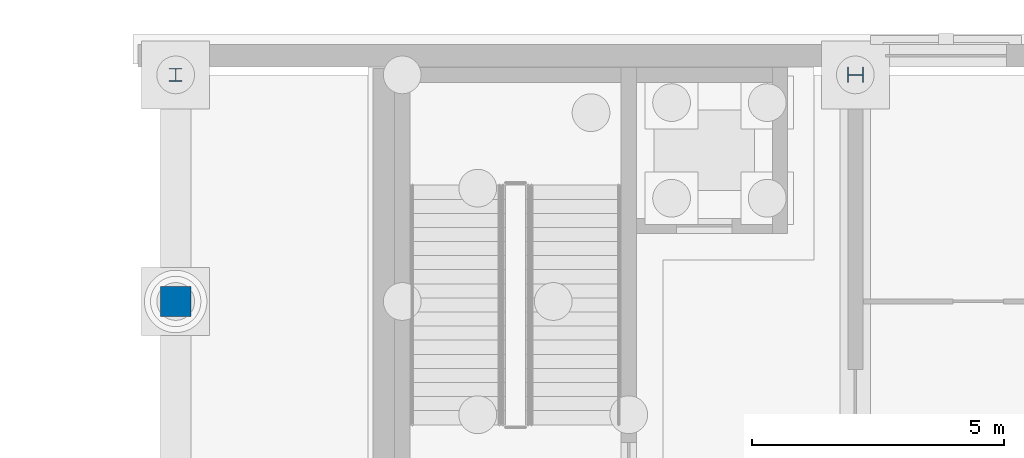
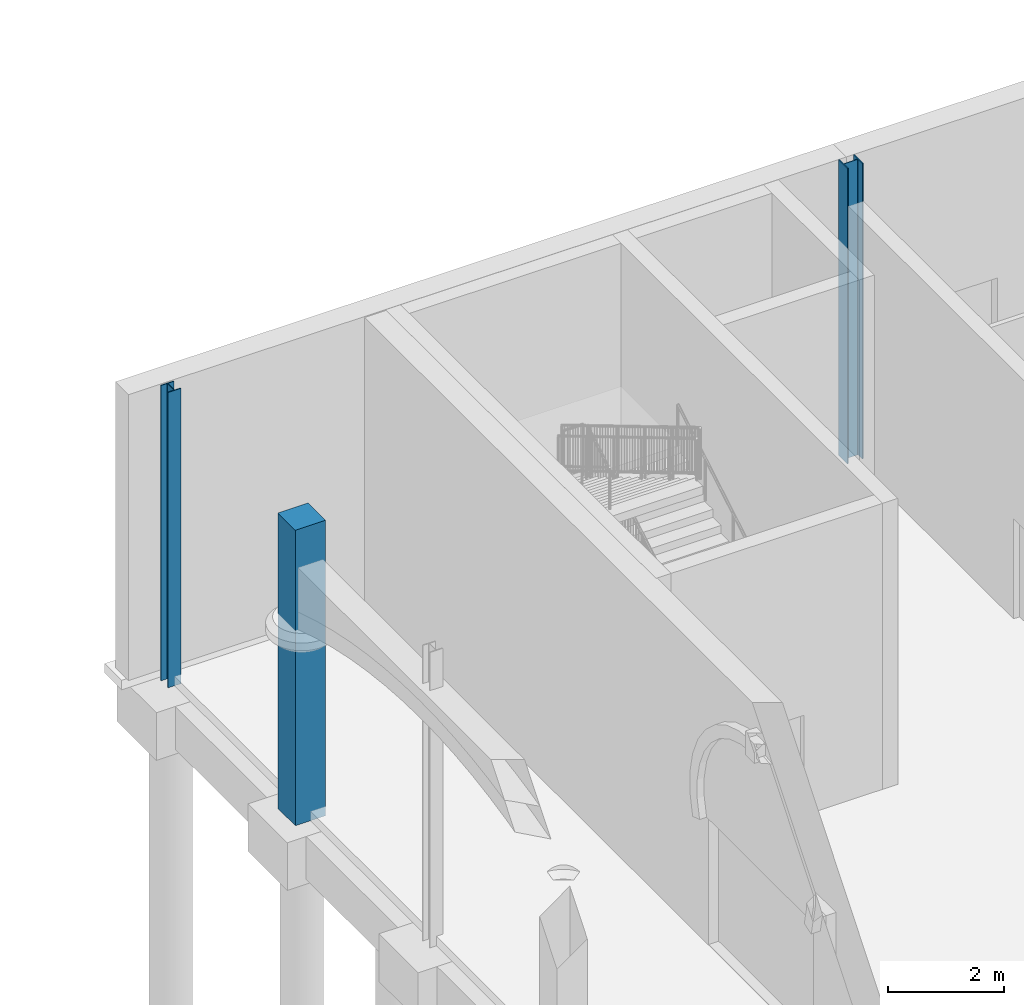
# One storey, part 24 of 106: 3 columns.
"""IFC4 building model written with IfcOpenShell, lengths in metres."""

from ifc_helpers import new_model, si_unit, direction, frame, origin, origin_2d, place, context, subcontext, project, spatial, rectangle, i_section, extrude, material, material_profile, profile_set, type_object, element, save


model = new_model("IFC4")

# Units and contexts
model_context = context("Model", 3, precision=1e-05, world=origin(), true_north=direction((0.0, 1.0)))
body_context = subcontext(model_context, "Body", "Model", "MODEL_VIEW")
ifc_project = project(units=[si_unit("LENGTHUNIT", "METRE"), si_unit("AREAUNIT", "SQUARE_METRE"), si_unit("VOLUMEUNIT", "CUBIC_METRE"), si_unit("PLANEANGLEUNIT", "RADIAN"), si_unit("MASSUNIT", "GRAM", prefix="KILO")], contexts=[model_context])

# Site, building, storey
site_placement = place(None, origin())
site = spatial("IfcSite", under=ifc_project, at=site_placement, CompositionType="ELEMENT")
building_placement = place(site_placement, origin())
building = spatial("IfcBuilding", under=site, at=building_placement, Name="Hortulan Conservatory and Botanical Research Centre", CompositionType="ELEMENT")
storey_placement = place(building_placement, origin())
storey = spatial("IfcBuildingStorey", under=building, at=storey_placement, Name="L00", CompositionType="ELEMENT", Elevation=0.0)

# Columns
ifc_material_1 = material(Name="Steel Grade 300PLUS (AS/NZS 3679.1, 280 MPa minimum yield)", Category="steel")
ifc_material_profile_1 = material_profile(ifc_material_1, i_section(OverallWidth=0.256103515625, OverallDepth=0.260009765625, WebThickness=0.010498046875, FlangeThickness=0.017333984375, FilletRadius=0.013916015625, at=origin_2d()), Name="250UC89.5")
ifc_profile_set_1 = profile_set([ifc_material_profile_1], Name="Steel Grade 300PLUS (AS/NZS 3679.1, 280 MPa minimum yield)")
column_type_1 = type_object("IfcColumnType", Name="Auditorium Column 250UC89.5", PredefinedType="COLUMN", material=ifc_profile_set_1)
column_1_placement = place(storey_placement, frame((76.5, 72.0, -0.199951171875), z_axis=(0.0, 0.0, 1.0), x_axis=(1.0, 0.0, 0.0)))
element("IfcColumn", 1, at=column_1_placement, inside=storey, type_object=column_type_1, Name="250UC89.5 column", PredefinedType="COLUMN", context=body_context, shape_type="SweptSolid", body=[
    extrude(i_section(OverallWidth=0.256103515625, OverallDepth=0.260009765625, WebThickness=0.010498046875, FlangeThickness=0.017333984375, FilletRadius=0.013916015625, at=origin_2d()), origin(), (0.0, 0.0, 1.0), 6.199951171875),
])
ifc_material_profile_2 = material_profile(ifc_material_1, i_section(OverallWidth=0.30908203125, OverallDepth=0.321044921875, WebThickness=0.013916015625, FlangeThickness=0.021728515625, FilletRadius=0.0166015625, at=origin_2d()), Name="310UC137")
ifc_profile_set_2 = profile_set([ifc_material_profile_2], Name="Steel Grade 300PLUS (AS/NZS 3679.1, 280 MPa minimum yield)")
column_type_2 = type_object("IfcColumnType", Name="Auditorium Column 310UC137", PredefinedType="COLUMN", material=ifc_profile_set_2)
column_2_placement = place(storey_placement, frame((90.0, 72.0, -0.199951171875), z_axis=(0.0, 0.0, 1.0), x_axis=(0.0, 1.0, 0.0)))
element("IfcColumn", 2, at=column_2_placement, inside=storey, type_object=column_type_2, Name="310UC137 column", PredefinedType="COLUMN", context=body_context, shape_type="SweptSolid", body=[
    extrude(i_section(OverallWidth=0.30908203125, OverallDepth=0.321044921875, WebThickness=0.013916015625, FlangeThickness=0.021728515625, FilletRadius=0.0166015625, at=origin_2d()), origin(), (0.0, 0.0, 1.0), 6.199951171875),
])
ifc_material_2 = material(Name="Sandstone masonry (25 MPa, AS 3700)", Category="masonry")
ifc_material_profile_3 = material_profile(ifc_material_2, rectangle(XDim=0.60009765625, YDim=0.60009765625, at=origin_2d()), Name="Square pier 600")
ifc_profile_set_3 = profile_set([ifc_material_profile_3], Name="Sandstone masonry (25 MPa, AS 3700)")
column_type_3 = type_object("IfcColumnType", Name="Sandstone Arcade Pier 600x600", PredefinedType="COLUMN", material=ifc_profile_set_3)
column_3_placement = place(storey_placement, frame((76.5, 67.5, -0.199951171875), z_axis=(0.0, 0.0, 1.0), x_axis=(1.0, 0.0, 0.0)))
element("IfcColumn", 3, at=column_3_placement, inside=storey, type_object=column_type_3, Name="Sandstone arcade pier P-76.5-67.5 L00", PredefinedType="COLUMN", context=body_context, shape_type="SweptSolid", body=[
    extrude(rectangle(XDim=0.60009765625, YDim=0.60009765625, at=origin_2d()), origin(), (0.0, 0.0, 1.0), 6.199951171875),
])

save(model, "model.ifc")
